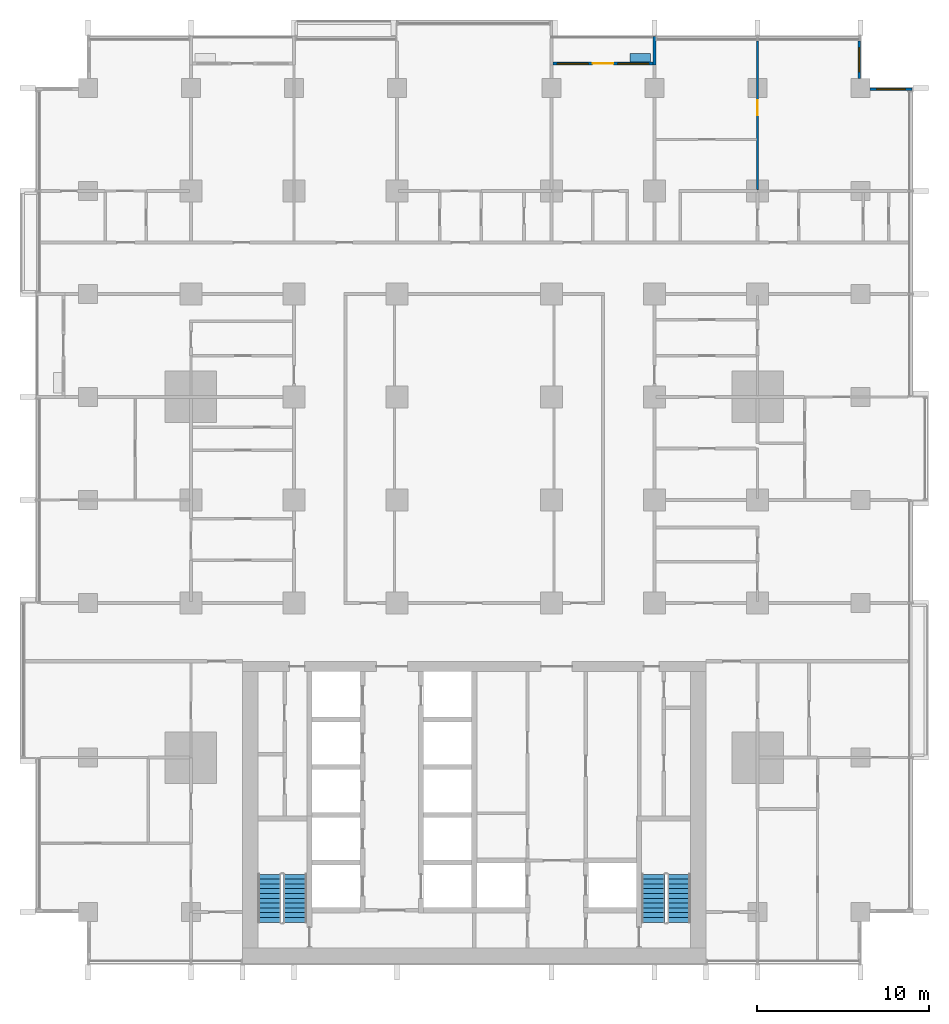
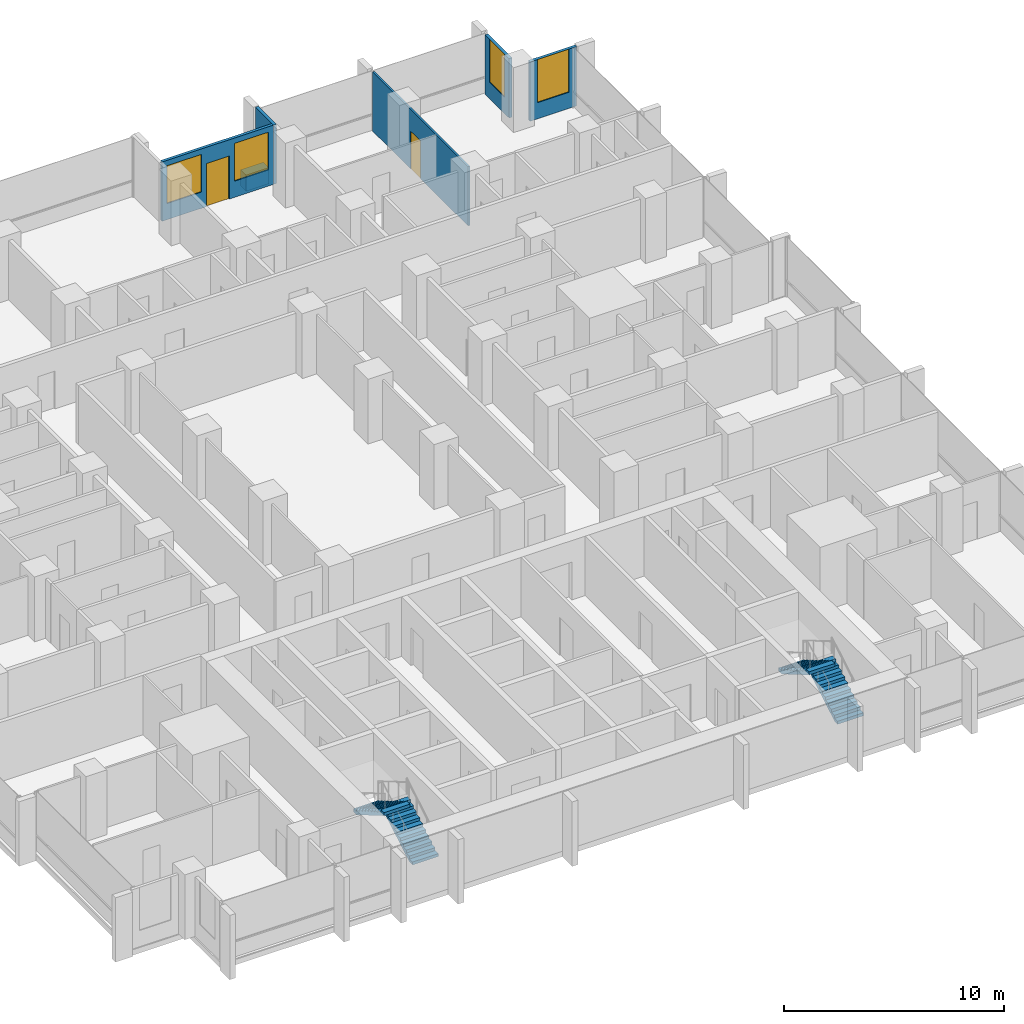
# One storey, part 13 of 18: 6 walls, 4 stair flights, 4 windows, 2 doors, 6 openings, 2 elements without a shape of their own.
"""IFC4 building model written with IfcOpenShell, lengths in metres."""

from ifc_helpers import new_model, si_unit, direction, frame, frame_2d, origin, place, context, subcontext, project, spatial, polyline, rectangle, outline, extrude, material, layer, layer_set, type_object, element, fill, aggregate, save


model = new_model("IFC4")

# Units and contexts
model_context = context("Model", 3, precision=1e-05, world=origin(), true_north=direction((0.0, 1.0)))
body_context = subcontext(model_context, "Body", "Model", "MODEL_VIEW")
ifc_project = project(units=[si_unit("LENGTHUNIT", "METRE"), si_unit("AREAUNIT", "SQUARE_METRE"), si_unit("VOLUMEUNIT", "CUBIC_METRE"), si_unit("PLANEANGLEUNIT", "RADIAN"), si_unit("MASSUNIT", "GRAM", prefix="KILO")], contexts=[model_context])

# Site, building, storey
site_placement = place(None, origin())
site = spatial("IfcSite", under=ifc_project, at=site_placement, CompositionType="ELEMENT")
building_placement = place(site_placement, origin())
building = spatial("IfcBuilding", under=site, at=building_placement, Name="Finial Court Residences", CompositionType="ELEMENT")
storey_placement = place(building_placement, frame((0.0, 0.0, 39.699951171875)))
storey = spatial("IfcBuildingStorey", under=building, at=storey_placement, Name="L08", CompositionType="ELEMENT", Elevation=39.699951171875)

# Wall, opening, door
ifc_material_1 = material(Name="Gypsum board")
ifc_layer_1 = layer(ifc_material_1, 0.012451171875)
ifc_material_2 = material(Name="Mineral wool in light-gauge frame")
ifc_layer_2 = layer(ifc_material_2, 0.074951171875)
ifc_layer_3 = layer(ifc_material_1, 0.012451171875)
ifc_layer_set_1 = layer_set([ifc_layer_1, ifc_layer_2, ifc_layer_3], Name="Gypsum board partition 100")
wall_type_1 = type_object("IfcWallType", Name="Gypsum board partition 100", PredefinedType="PARTITIONING", material=ifc_layer_set_1)
wall_1_placement = place(storey_placement, frame((16.5, 19.574951171875, 0.0), z_axis=(0.0, 0.0, 1.0), x_axis=(0.0, 1.0, 0.0)))
wall_1 = element("IfcWall", 1, at=wall_1_placement, inside=storey, type_object=wall_type_1, Name="Partition L08-083", PredefinedType="PARTITIONING", context=body_context, shape_type="SweptSolid", body=[
    extrude(rectangle(XDim=8.675048828125, YDim=0.10009765625, at=frame_2d((4.33740234375, 0.0))), origin(), (0.0, 0.0, 1.0), 3.300048828125),
])
opening_1_placement = place(wall_1_placement, frame((4.324951171875, 0.0, 0.0)))
opening_1 = element("IfcOpeningElement", 2, at=opening_1_placement, cuts=wall_1, Name="Opening L08-D049", PredefinedType="OPENING", context=body_context, shape_type="SweptSolid", body=[
    extrude(rectangle(XDim=0.89990234375, YDim=2.10009765625, at=frame_2d((0.449951171875, 1.050048828125))), frame((0.0, 0.06005859375, 0.0), z_axis=(0.0, -1.0, 0.0), x_axis=(1.0, 0.0, 0.0)), (0.0, 0.0, 1.0), 0.1201171875),
])
ifc_material_3 = material(Name="Timber door leaf in timber frame", Category="wood")
door_type_1 = type_object("IfcDoorType", Name="Door set 900 x 2100", OperationType="SINGLE_SWING_LEFT", PredefinedType="DOOR", material=ifc_material_3)
door_1_placement = place(opening_1_placement, origin())
door_1 = element("IfcDoor", 3, at=door_1_placement, inside=storey, type_object=door_type_1, Name="Door L08-D049", OperationType="SINGLE_SWING_LEFT", OverallHeight=2.10009765625, OverallWidth=0.89990234375, PredefinedType="DOOR", context=body_context, shape_type="SweptSolid", body=[
    extrude(rectangle(XDim=0.89990234375, YDim=2.10009765625, at=frame_2d((0.449951171875, 1.050048828125))), frame((0.0, 0.02490234375, 0.0), z_axis=(0.0, -1.0, 0.0), x_axis=(1.0, 0.0, 0.0)), (0.0, 0.0, 1.0), 0.050048828125),
])
fill(opening_1, door_1)

# Wall, opening, window
ifc_material_4 = material(Name="Natural limestone", Category="masonry")
ifc_layer_4 = layer(ifc_material_4, 0.14990234375)
ifc_layer_set_2 = layer_set([ifc_layer_4], Name="Limestone clad wall 150")
wall_type_2 = type_object("IfcWallType", Name="Limestone clad wall 150", PredefinedType="SOLIDWALL", material=ifc_layer_set_2)
wall_2_placement = place(storey_placement, frame((22.425048828125, 28.25, 0.0), z_axis=(0.0, 0.0, 1.0), x_axis=(0.0, -1.0, 0.0)))
wall_2 = element("IfcWall", 4, at=wall_2_placement, inside=storey, type_object=wall_type_2, Name="E-L08-NWE20", PredefinedType="SOLIDWALL", context=body_context, shape_type="SweptSolid", body=[
    extrude(rectangle(XDim=2.199951171875, YDim=0.14990234375, at=frame_2d((1.10009765625, 0.0))), origin(), (0.0, 0.0, 1.0), 3.300048828125),
])
opening_2_placement = place(wall_2_placement, frame((0.39990234375, 0.0, 0.89990234375)))
opening_2 = element("IfcOpeningElement", 5, at=opening_2_placement, cuts=wall_2, Name="Opening WE08-07", PredefinedType="OPENING", context=body_context, shape_type="SweptSolid", body=[
    extrude(rectangle(XDim=1.39990234375, YDim=2.39990234375, at=frame_2d((0.699951171875, 1.199951171875))), frame((0.0, 0.0849609375, 0.0), z_axis=(0.0, -1.0, 0.0), x_axis=(1.0, 0.0, 0.0)), (0.0, 0.0, 1.0), 0.169921875),
])
ifc_material_5 = material(Name="Clear low-e glass", Category="glass")
window_type_1 = type_object("IfcWindowType", Name="Corner window 1400 x 2400", PartitioningType="SINGLE_PANEL", PredefinedType="WINDOW", material=ifc_material_5)
window_1_placement = place(opening_2_placement, origin())
window_1 = element("IfcWindow", 6, at=window_1_placement, inside=storey, type_object=window_type_1, Name="E-L08-NWE20-W1", OverallHeight=2.39990234375, OverallWidth=1.39990234375, PartitioningType="SINGLE_PANEL", PredefinedType="WINDOW", context=body_context, shape_type="SweptSolid", body=[
    extrude(rectangle(XDim=1.39990234375, YDim=2.39990234375, at=frame_2d((0.699951171875, 1.199951171875))), frame((0.0, 0.030029296875, 0.0), z_axis=(0.0, -1.0, 0.0), x_axis=(1.0, 0.0, 0.0)), (0.0, 0.0, 1.0), 0.06005859375),
])
fill(opening_2, window_1)

wall_3_placement = place(storey_placement, frame((23.050048828125, 25.425048828125, 0.0), z_axis=(0.0, 0.0, 1.0), x_axis=(1.0, 0.0, 0.0)))
wall_3 = element("IfcWall", 7, at=wall_3_placement, inside=storey, type_object=wall_type_2, Name="E-L08-NWN21", PredefinedType="SOLIDWALL", context=body_context, shape_type="SweptSolid", body=[
    extrude(rectangle(XDim=2.449951171875, YDim=0.14990234375, at=frame_2d((1.22509765625, 0.0))), origin(), (0.0, 0.0, 1.0), 3.300048828125),
])
opening_3_placement = place(wall_3_placement, frame((0.39990234375, 0.0, 0.89990234375)))
opening_3 = element("IfcOpeningElement", 8, at=opening_3_placement, cuts=wall_3, Name="Opening WE08-08", PredefinedType="OPENING", context=body_context, shape_type="SweptSolid", body=[
    extrude(rectangle(XDim=1.64990234375, YDim=2.39990234375, at=frame_2d((0.824951171875, 1.199951171875))), frame((0.0, 0.0849609375, 0.0), z_axis=(0.0, -1.0, 0.0), x_axis=(1.0, 0.0, 0.0)), (0.0, 0.0, 1.0), 0.169921875),
])
window_type_2 = type_object("IfcWindowType", Name="Corner window 1650 x 2400", PartitioningType="SINGLE_PANEL", PredefinedType="WINDOW", material=ifc_material_5)
window_2_placement = place(opening_3_placement, origin())
window_2 = element("IfcWindow", 9, at=window_2_placement, inside=storey, type_object=window_type_2, Name="E-L08-NWN21-W1", OverallHeight=2.39990234375, OverallWidth=1.64990234375, PartitioningType="SINGLE_PANEL", PredefinedType="WINDOW", context=body_context, shape_type="SweptSolid", body=[
    extrude(rectangle(XDim=1.64990234375, YDim=2.39990234375, at=frame_2d((0.824951171875, 1.199951171875))), frame((0.0, 0.030029296875, 0.0), z_axis=(0.0, -1.0, 0.0), x_axis=(1.0, 0.0, 0.0)), (0.0, 0.0, 1.0), 0.06005859375),
])
fill(opening_3, window_2)

# Wall
wall_4_placement = place(storey_placement, frame((10.5, 26.85009765625, 0.0), z_axis=(0.0, 0.0, 1.0), x_axis=(0.0, 1.0, 0.0)))
element("IfcWall", 10, at=wall_4_placement, inside=storey, type_object=wall_type_2, Name="E-L08-BALN5-P2", PredefinedType="SOLIDWALL", context=body_context, shape_type="SweptSolid", body=[
    extrude(rectangle(XDim=1.64990234375, YDim=0.14990234375, at=frame_2d((0.824951171875, 0.0))), origin(), (0.0, 0.0, 1.0), 3.300048828125),
])

# Wall, openings, door, windows
wall_5_placement = place(storey_placement, frame((4.574951171875, 26.925048828125, 0.0), z_axis=(0.0, 0.0, 1.0), x_axis=(1.0, 0.0, 0.0)))
wall_5 = element("IfcWall", 11, at=wall_5_placement, inside=storey, type_object=wall_type_2, Name="E-L08-L08-BALN5-W", PredefinedType="SOLIDWALL", context=body_context, shape_type="SweptSolid", body=[
    extrude(rectangle(XDim=5.85009765625, YDim=0.14990234375, at=frame_2d((2.925048828125, 0.0))), origin(), (0.0, 0.0, 1.0), 3.300048828125),
])
opening_4_placement = place(wall_5_placement, frame((2.324951171875, 0.0, 0.0)))
opening_4 = element("IfcOpeningElement", 12, at=opening_4_placement, cuts=wall_5, Name="Opening DE08-02", PredefinedType="OPENING", context=body_context, shape_type="SweptSolid", body=[
    extrude(rectangle(XDim=1.199951171875, YDim=2.39990234375, at=frame_2d((0.60009765625, 1.199951171875))), frame((0.0, 0.0849609375, 0.0), z_axis=(0.0, -1.0, 0.0), x_axis=(1.0, 0.0, 0.0)), (0.0, 0.0, 1.0), 0.169921875),
])
opening_5_placement = place(wall_5_placement, frame((0.262451171875, 0.0, 0.89990234375)))
opening_5 = element("IfcOpeningElement", 13, at=opening_5_placement, cuts=wall_5, Name="Opening WE08-11", PredefinedType="OPENING", context=body_context, shape_type="SweptSolid", body=[
    extrude(rectangle(XDim=1.800048828125, YDim=2.10009765625, at=frame_2d((0.89990234375, 1.050048828125))), frame((0.0, 0.0849609375, 0.0), z_axis=(0.0, -1.0, 0.0), x_axis=(1.0, 0.0, 0.0)), (0.0, 0.0, 1.0), 0.169921875),
])
opening_6_placement = place(wall_5_placement, frame((3.78759765625, 0.0, 0.89990234375)))
opening_6 = element("IfcOpeningElement", 14, at=opening_6_placement, cuts=wall_5, Name="Opening WE08-12", PredefinedType="OPENING", context=body_context, shape_type="SweptSolid", body=[
    extrude(rectangle(XDim=1.800048828125, YDim=2.10009765625, at=frame_2d((0.89990234375, 1.050048828125))), frame((0.0, 0.0849609375, 0.0), z_axis=(0.0, -1.0, 0.0), x_axis=(1.0, 0.0, 0.0)), (0.0, 0.0, 1.0), 0.169921875),
])
ifc_material_6 = material(Name="Bronze anodised aluminium", Category="aluminium")
door_type_2 = type_object("IfcDoorType", Name="Balcony door 1200 x 2400", OperationType="SINGLE_SWING_LEFT", PredefinedType="DOOR", material=ifc_material_6)
door_2_placement = place(opening_4_placement, origin())
door_2 = element("IfcDoor", 15, at=door_2_placement, inside=storey, type_object=door_type_2, Name="E-L08-L08-BALN5-W-D", OperationType="SINGLE_SWING_RIGHT", OverallHeight=2.39990234375, OverallWidth=1.199951171875, PredefinedType="DOOR", context=body_context, shape_type="SweptSolid", body=[
    extrude(rectangle(XDim=1.199951171875, YDim=2.39990234375, at=frame_2d((0.60009765625, 1.199951171875))), frame((0.0, 0.02490234375, 0.0), z_axis=(0.0, -1.0, 0.0), x_axis=(1.0, 0.0, 0.0)), (0.0, 0.0, 1.0), 0.050048828125),
])
fill(opening_4, door_2)
window_type_3 = type_object("IfcWindowType", Name="Balcony window 1800 x 2100", PartitioningType="SINGLE_PANEL", PredefinedType="WINDOW", material=ifc_material_5)
window_3_placement = place(opening_5_placement, origin())
window_3 = element("IfcWindow", 16, at=window_3_placement, inside=storey, type_object=window_type_3, Name="E-L08-L08-BALN5-W-W1", OverallHeight=2.10009765625, OverallWidth=1.800048828125, PartitioningType="SINGLE_PANEL", PredefinedType="WINDOW", context=body_context, shape_type="SweptSolid", body=[
    extrude(rectangle(XDim=1.800048828125, YDim=2.10009765625, at=frame_2d((0.89990234375, 1.050048828125))), frame((0.0, 0.030029296875, 0.0), z_axis=(0.0, -1.0, 0.0), x_axis=(1.0, 0.0, 0.0)), (0.0, 0.0, 1.0), 0.06005859375),
])
fill(opening_5, window_3)
window_4_placement = place(opening_6_placement, origin())
window_4 = element("IfcWindow", 17, at=window_4_placement, inside=storey, type_object=window_type_3, Name="E-L08-L08-BALN5-W-W2", OverallHeight=2.10009765625, OverallWidth=1.800048828125, PartitioningType="SINGLE_PANEL", PredefinedType="WINDOW", context=body_context, shape_type="SweptSolid", body=[
    extrude(rectangle(XDim=1.800048828125, YDim=2.10009765625, at=frame_2d((0.89990234375, 1.050048828125))), frame((0.0, 0.030029296875, 0.0), z_axis=(0.0, -1.0, 0.0), x_axis=(1.0, 0.0, 0.0)), (0.0, 0.0, 1.0), 0.06005859375),
])
fill(opening_6, window_4)

# Wall
ifc_material_7 = material(Name="Concrete C40/50", Category="concrete")
ifc_layer_5 = layer(ifc_material_7, 0.10009765625)
ifc_material_8 = material(Name="Planting soil", Category="soil")
ifc_layer_6 = layer(ifc_material_8, 0.300048828125)
ifc_layer_7 = layer(ifc_material_7, 0.10009765625)
ifc_layer_set_3 = layer_set([ifc_layer_5, ifc_layer_6, ifc_layer_7], Name="Planter wall, balcony")
wall_type_3 = type_object("IfcWallType", Name="Planter wall, balcony", PredefinedType="USERDEFINED", material=ifc_layer_set_3)
wall_6_placement = place(storey_placement, frame((9.074951171875, 27.25, 0.0), z_axis=(0.0, 0.0, 1.0), x_axis=(1.0, 0.0, 0.0)))
element("IfcWall", 18, at=wall_6_placement, inside=storey, type_object=wall_type_3, Name="E-L08-BALN5-PL", ObjectType="PLANTER", PredefinedType="USERDEFINED", context=body_context, shape_type="SweptSolid", body=[
    extrude(rectangle(XDim=1.199951171875, YDim=0.5, at=frame_2d((0.60009765625, 0.0))), origin(), (0.0, 0.0, 1.0), 0.900146484375),
])

# Stair, stair flights
ifc_material_9 = material(Name="Concrete C50/60", Category="concrete")
stair_type = type_object("IfcStairType", Name="Exit stair 22 risers of 163.6 mm", PredefinedType="HALF_TURN_STAIR", material=ifc_material_9)
stair_1_placement = place(storey_placement, origin())
stair_1 = element("IfcStair", 19, at=stair_1_placement, inside=storey, type_object=stair_type, Name="L08 Exit stair ST-1", PredefinedType="HALF_TURN_STAIR")
stair_flight_type = type_object("IfcStairFlightType", Name="Exit stair flight", PredefinedType="STRAIGHT", material=ifc_material_9)
stair_flight_1_placement = place(storey_placement, frame((-10.425048828125, -23.10009765625, 0.0), z_axis=(0.0, 0.0, 1.0), x_axis=(0.0, 1.0, 0.0)))
stair_flight_1 = element("IfcStairFlight", 20, at=stair_flight_1_placement, type_object=stair_flight_type, Name="ST-1 flight 1", NumberOfRisers=11, NumberOfTreads=10, PredefinedType="STRAIGHT", RiserHeight=0.163636364, TreadLength=0.28, context=body_context, shape_type="SweptSolid", body=[
    extrude(outline(polyline([(0.0, 0.0), (0.0, 0.16357421875), (0.280029296875, 0.16357421875), (0.280029296875, 0.327392578125), (0.56005859375, 0.327392578125), (0.56005859375, 0.490966796875), (0.840087890625, 0.490966796875), (0.840087890625, 0.654541015625), (1.1201171875, 0.654541015625), (1.1201171875, 0.818115234375), (1.39990234375, 0.818115234375), (1.39990234375, 0.98193359375), (1.679931640625, 0.98193359375), (1.679931640625, 1.1455078125), (1.9599609375, 1.1455078125), (1.9599609375, 1.30908203125), (2.239990234375, 1.30908203125), (2.239990234375, 1.47265625), (2.52001953125, 1.47265625), (2.52001953125, 1.636474609375), (2.800048828125, 1.636474609375), (2.800048828125, 1.800048828125), (2.800048828125, 1.462646484375), (0.297119140625, 0.0), (0.0, 0.0)])), frame((0.0, 0.675048828125, 0.0), z_axis=(0.0, -1.0, 0.0), x_axis=(1.0, 0.0, 0.0)), (0.0, 0.0, 1.0), 1.35009765625),
])
stair_flight_2_placement = place(storey_placement, frame((-11.925048828125, -20.300048828125, 1.800048828125), z_axis=(0.0, 0.0, 1.0), x_axis=(0.0, -1.0, 0.0)))
stair_flight_2 = element("IfcStairFlight", 21, at=stair_flight_2_placement, type_object=stair_flight_type, Name="ST-1 flight 2", NumberOfRisers=11, NumberOfTreads=10, PredefinedType="STRAIGHT", RiserHeight=0.163636364, TreadLength=0.28, context=body_context, shape_type="SweptSolid", body=[
    extrude(outline(polyline([(0.0, 0.0), (0.0, 0.16357421875), (0.280029296875, 0.16357421875), (0.280029296875, 0.327392578125), (0.56005859375, 0.327392578125), (0.56005859375, 0.490966796875), (0.840087890625, 0.490966796875), (0.840087890625, 0.654541015625), (1.1201171875, 0.654541015625), (1.1201171875, 0.818115234375), (1.39990234375, 0.818115234375), (1.39990234375, 0.98193359375), (1.679931640625, 0.98193359375), (1.679931640625, 1.1455078125), (1.9599609375, 1.1455078125), (1.9599609375, 1.30908203125), (2.239990234375, 1.30908203125), (2.239990234375, 1.47265625), (2.52001953125, 1.47265625), (2.52001953125, 1.636474609375), (2.800048828125, 1.636474609375), (2.800048828125, 1.800048828125), (2.800048828125, 1.462646484375), (0.297119140625, 0.0), (0.0, 0.0)])), frame((0.0, 0.675048828125, 0.0), z_axis=(0.0, -1.0, 0.0), x_axis=(1.0, 0.0, 0.0)), (0.0, 0.0, 1.0), 1.35009765625),
])
aggregate(stair_1, [stair_flight_1, stair_flight_2])

stair_2_placement = place(storey_placement, origin())
stair_2 = element("IfcStair", 22, at=stair_2_placement, inside=storey, type_object=stair_type, Name="L08 Exit stair ST-2", PredefinedType="HALF_TURN_STAIR")
stair_flight_3_placement = place(storey_placement, frame((11.925048828125, -23.10009765625, 0.0), z_axis=(0.0, 0.0, 1.0), x_axis=(0.0, 1.0, 0.0)))
stair_flight_3 = element("IfcStairFlight", 23, at=stair_flight_3_placement, type_object=stair_flight_type, Name="ST-2 flight 1", NumberOfRisers=11, NumberOfTreads=10, PredefinedType="STRAIGHT", RiserHeight=0.163636364, TreadLength=0.28, context=body_context, shape_type="SweptSolid", body=[
    extrude(outline(polyline([(0.0, 0.0), (0.0, 0.16357421875), (0.280029296875, 0.16357421875), (0.280029296875, 0.327392578125), (0.56005859375, 0.327392578125), (0.56005859375, 0.490966796875), (0.840087890625, 0.490966796875), (0.840087890625, 0.654541015625), (1.1201171875, 0.654541015625), (1.1201171875, 0.818115234375), (1.39990234375, 0.818115234375), (1.39990234375, 0.98193359375), (1.679931640625, 0.98193359375), (1.679931640625, 1.1455078125), (1.9599609375, 1.1455078125), (1.9599609375, 1.30908203125), (2.239990234375, 1.30908203125), (2.239990234375, 1.47265625), (2.52001953125, 1.47265625), (2.52001953125, 1.636474609375), (2.800048828125, 1.636474609375), (2.800048828125, 1.800048828125), (2.800048828125, 1.462646484375), (0.297119140625, 0.0), (0.0, 0.0)])), frame((0.0, 0.675048828125, 0.0), z_axis=(0.0, -1.0, 0.0), x_axis=(1.0, 0.0, 0.0)), (0.0, 0.0, 1.0), 1.35009765625),
])
stair_flight_4_placement = place(storey_placement, frame((10.425048828125, -20.300048828125, 1.800048828125), z_axis=(0.0, 0.0, 1.0), x_axis=(0.0, -1.0, 0.0)))
stair_flight_4 = element("IfcStairFlight", 24, at=stair_flight_4_placement, type_object=stair_flight_type, Name="ST-2 flight 2", NumberOfRisers=11, NumberOfTreads=10, PredefinedType="STRAIGHT", RiserHeight=0.163636364, TreadLength=0.28, context=body_context, shape_type="SweptSolid", body=[
    extrude(outline(polyline([(0.0, 0.0), (0.0, 0.16357421875), (0.280029296875, 0.16357421875), (0.280029296875, 0.327392578125), (0.56005859375, 0.327392578125), (0.56005859375, 0.490966796875), (0.840087890625, 0.490966796875), (0.840087890625, 0.654541015625), (1.1201171875, 0.654541015625), (1.1201171875, 0.818115234375), (1.39990234375, 0.818115234375), (1.39990234375, 0.98193359375), (1.679931640625, 0.98193359375), (1.679931640625, 1.1455078125), (1.9599609375, 1.1455078125), (1.9599609375, 1.30908203125), (2.239990234375, 1.30908203125), (2.239990234375, 1.47265625), (2.52001953125, 1.47265625), (2.52001953125, 1.636474609375), (2.800048828125, 1.636474609375), (2.800048828125, 1.800048828125), (2.800048828125, 1.462646484375), (0.297119140625, 0.0), (0.0, 0.0)])), frame((0.0, 0.675048828125, 0.0), z_axis=(0.0, -1.0, 0.0), x_axis=(1.0, 0.0, 0.0)), (0.0, 0.0, 1.0), 1.35009765625),
])
aggregate(stair_2, [stair_flight_3, stair_flight_4])

save(model, "model.ifc")
